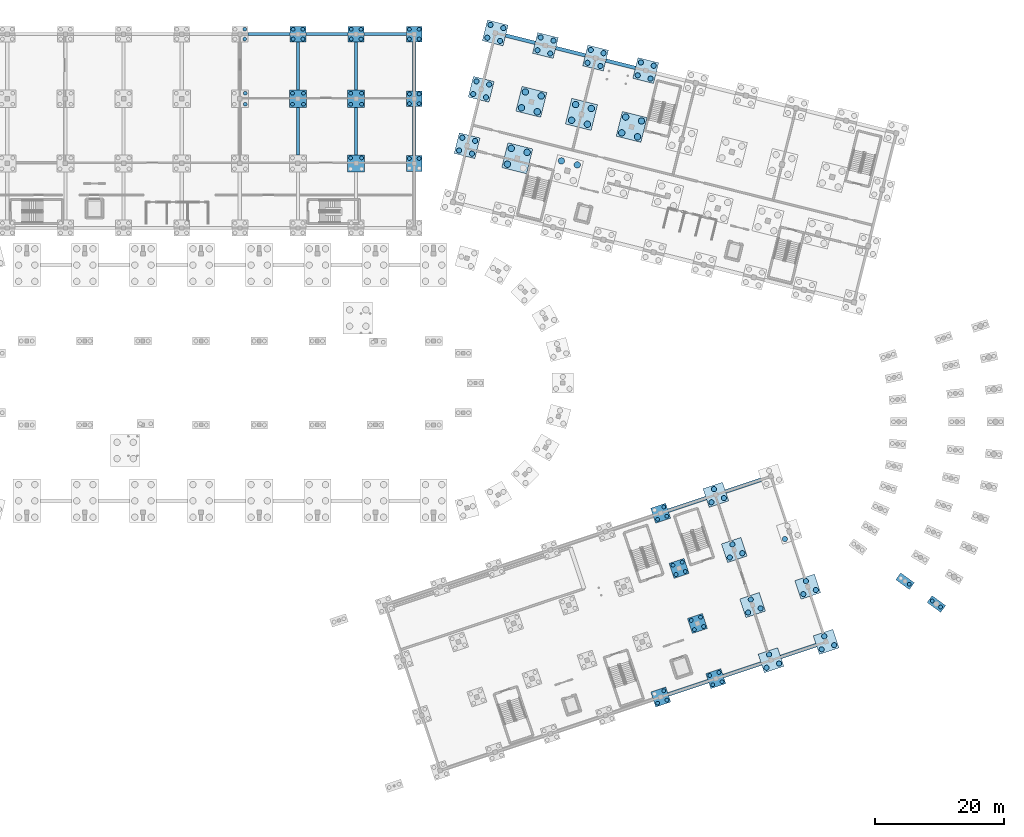
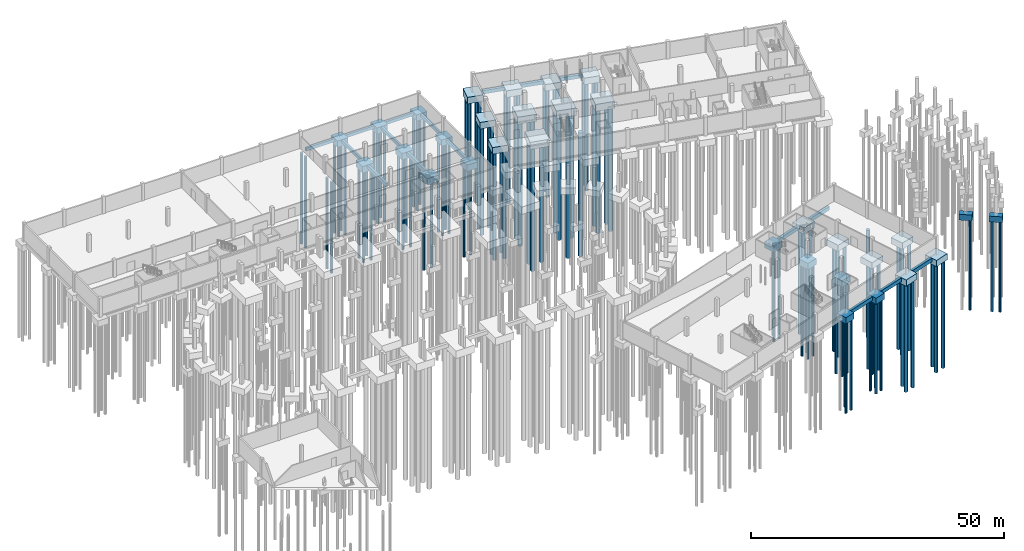
# One storey, part 5 of 36: 113 piles, 48 footings.
"""IFC4 building model written with IfcOpenShell, lengths in metres."""

from ifc_helpers import new_model, si_unit, derived_unit, direction, frame, origin, origin_2d, place, context, subcontext, project, spatial, rectangle, circle, extrude, material, material_profile, profile_set, type_object, element, save


model = new_model("IFC4")

# Units and contexts
model_context = context("Model", 3, precision=1e-05, world=origin(), true_north=direction((0.0, 1.0)))
body_context = subcontext(model_context, "Body", "Model", "MODEL_VIEW")
ifc_project = project(units=[si_unit("LENGTHUNIT", "METRE"), si_unit("AREAUNIT", "SQUARE_METRE"), si_unit("VOLUMEUNIT", "CUBIC_METRE"), si_unit("PLANEANGLEUNIT", "RADIAN"), si_unit("MASSUNIT", "GRAM", prefix="KILO"), si_unit("THERMODYNAMICTEMPERATUREUNIT", "KELVIN"), si_unit("TIMEUNIT", "SECOND"), derived_unit("THERMALTRANSMITTANCEUNIT", [(si_unit("MASSUNIT", "GRAM", prefix="KILO"), 1), (si_unit("THERMODYNAMICTEMPERATUREUNIT", "KELVIN"), -1), (si_unit("TIMEUNIT", "SECOND"), -3)])], contexts=[model_context])

# Site, building, storey
site_placement = place(None, origin())
site = spatial("IfcSite", under=ifc_project, at=site_placement, CompositionType="ELEMENT")
building_placement = place(site_placement, origin())
building = spatial("IfcBuilding", under=site, at=building_placement, Name="Cambertide Market Hall", CompositionType="ELEMENT")
storey_placement = place(building_placement, frame((0.0, 0.0, -4.199951171875)))
storey = spatial("IfcBuildingStorey", under=building, at=storey_placement, Name="B1", CompositionType="ELEMENT", Elevation=-4.199951171875)

# Piles
ifc_material_1 = material(Name="Concrete B35", Category="concrete")
ifc_material_profile_1 = material_profile(ifc_material_1, circle(Radius=0.5, at=origin_2d()), Name="BP D1000")
ifc_profile_set_1 = profile_set([ifc_material_profile_1], Name="Concrete B35")
pile_type_1 = type_object("IfcPileType", Name="Bored Pile BP-1000", PredefinedType="BORED", material=ifc_profile_set_1)
for number, where, z_axis, x_axis, name in (
    (1, (116.416015625, 105.874267578125, -2.0), (0.0, 0.0, -1.0), (1.0, 0.0, 0.0), "Basement 1 Bored Pile V4-2-2-1"),
    (2, (117.027099609375, 108.319091796875, -2.0), (0.0, 0.0, -1.0), (1.0, 0.0, 0.0), "Basement 1 Bored Pile V4-2-2-3"),
    (3, (119.471923828125, 107.707763671875, -2.0), (0.0, 0.0, -1.0), (1.0, 0.0, 0.0), "Basement 1 Bored Pile V4-2-2-4"),
    (4, (118.598876953125, 114.60546875, -2.0), (0.0, 0.0, -1.0), (1.0, 0.0, 0.0), "Basement 1 Bored Pile V4-2-3-1"),
    (5, (121.04345703125, 113.994384765625, -2.0), (0.0, 0.0, -1.0), (1.0, 0.0, 0.0), "Basement 1 Bored Pile V4-2-3-2"),
    (6, (119.2099609375, 117.05029296875, -2.0), (0.0, 0.0, -1.0), (1.0, 0.0, 0.0), "Basement 1 Bored Pile V4-2-3-3"),
    (7, (121.65478515625, 116.43896484375, -2.0), (0.0, 0.0, -1.0), (1.0, 0.0, 0.0), "Basement 1 Bored Pile V4-2-3-4"),
    (8, (124.788330078125, 106.378662109375, -2.10009765625), (0.0, 0.0, -1.0), (1.0, 0.0, 0.0), "Basement 1 Bored Pile V4-3-2-3"),
    (9, (127.233154296875, 105.767578125, -2.10009765625), (0.0, 0.0, -1.0), (1.0, 0.0, 0.0), "Basement 1 Bored Pile V4-3-2-4"),
    (10, (126.35986328125, 112.665283203125, -2.10009765625), (0.0, 0.0, -1.0), (1.0, 0.0, 0.0), "Basement 1 Bored Pile V4-3-3-1"),
    (11, (128.8046875, 112.053955078125, -2.10009765625), (0.0, 0.0, -1.0), (1.0, 0.0, 0.0), "Basement 1 Bored Pile V4-3-3-2"),
    (12, (126.97119140625, 115.10986328125, -2.10009765625), (0.0, 0.0, -1.0), (1.0, 0.0, 0.0), "Basement 1 Bored Pile V4-3-3-3"),
    (13, (129.416015625, 114.498779296875, -2.10009765625), (0.0, 0.0, -1.0), (1.0, 0.0, 0.0), "Basement 1 Bored Pile V4-3-3-4"),
    (14, (134.12109375, 110.724853515625, -2.0), (0.0, 0.0, -1.0), (1.0, 0.0, 0.0), "Basement 1 Bored Pile V4-4-3-1"),
    (15, (136.56591796875, 110.11376953125, -2.0), (0.0, 0.0, -1.0), (1.0, 0.0, 0.0), "Basement 1 Bored Pile V4-4-3-2"),
    (16, (134.732177734375, 113.169677734375, -2.0), (0.0, 0.0, -1.0), (1.0, 0.0, 0.0), "Basement 1 Bored Pile V4-4-3-3"),
    (17, (137.177001953125, 112.55859375, -2.0), (0.0, 0.0, -1.0), (1.0, 0.0, 0.0), "Basement 1 Bored Pile V4-4-3-4"),
):
    element("IfcPile", number, at=place(storey_placement, frame(where, z_axis=z_axis, x_axis=x_axis)), inside=storey, type_object=pile_type_1, Name=name, PredefinedType="BORED", context=body_context, shape_type="SweptSolid", body=[
        extrude(circle(Radius=0.5, at=origin_2d()), origin(), (0.0, 0.0, 1.0), 29.800048828125),
    ])
ifc_material_2 = material(Name="Concrete B35", Category="concrete")
ifc_material_profile_2 = material_profile(ifc_material_2, circle(Radius=0.300048828125, at=origin_2d()), Name="BP D600")
ifc_profile_set_2 = profile_set([ifc_material_profile_2], Name="Concrete B35")
pile_type_2 = type_object("IfcPileType", Name="Bored Pile BP-600", PredefinedType="BORED", material=ifc_profile_set_2)
for number, where, z_axis, x_axis, name in (
    (18, (75.85009765625, 115.14990234375, -1.85009765625), (0.0, 0.0, -1.0), (1.0, 0.0, 0.0), "Basement 1 Bored Pile V2-8-3-2"),
    (19, (75.85009765625, 116.85009765625, -1.85009765625), (0.0, 0.0, -1.0), (1.0, 0.0, 0.0), "Basement 1 Bored Pile V2-8-3-4"),
    (20, (75.7548828125, 125.2451171875, -1.800048828125), (0.0, 0.0, -1.0), (1.0, 0.0, 0.0), "Basement 1 Bored Pile V2-8-4-2"),
    (21, (75.7548828125, 126.7548828125, -1.800048828125), (0.0, 0.0, -1.0), (1.0, 0.0, 0.0), "Basement 1 Bored Pile V2-8-4-4"),
    (22, (83.14990234375, 115.14990234375, -1.85009765625), (0.0, 0.0, -1.0), (1.0, 0.0, 0.0), "Basement 1 Bored Pile V2-9-3-1"),
    (23, (84.85009765625, 115.14990234375, -1.85009765625), (0.0, 0.0, -1.0), (1.0, 0.0, 0.0), "Basement 1 Bored Pile V2-9-3-2"),
    (24, (83.14990234375, 116.85009765625, -1.85009765625), (0.0, 0.0, -1.0), (1.0, 0.0, 0.0), "Basement 1 Bored Pile V2-9-3-3"),
    (25, (84.85009765625, 116.85009765625, -1.85009765625), (0.0, 0.0, -1.0), (1.0, 0.0, 0.0), "Basement 1 Bored Pile V2-9-3-4"),
    (26, (83.2451171875, 125.2451171875, -1.800048828125), (0.0, 0.0, -1.0), (1.0, 0.0, 0.0), "Basement 1 Bored Pile V2-9-4-1"),
    (27, (84.7548828125, 125.2451171875, -1.800048828125), (0.0, 0.0, -1.0), (1.0, 0.0, 0.0), "Basement 1 Bored Pile V2-9-4-2"),
    (28, (83.2451171875, 126.7548828125, -1.800048828125), (0.0, 0.0, -1.0), (1.0, 0.0, 0.0), "Basement 1 Bored Pile V2-9-4-3"),
    (29, (84.7548828125, 126.7548828125, -1.800048828125), (0.0, 0.0, -1.0), (1.0, 0.0, 0.0), "Basement 1 Bored Pile V2-9-4-4"),
    (30, (92.14990234375, 106.85009765625, -1.85009765625), (0.0, 0.0, -1.0), (1.0, 0.0, 0.0), "Basement 1 Bored Pile V2-10-2-3"),
    (31, (93.85009765625, 106.85009765625, -1.85009765625), (0.0, 0.0, -1.0), (1.0, 0.0, 0.0), "Basement 1 Bored Pile V2-10-2-4"),
    (32, (92.14990234375, 115.14990234375, -1.85009765625), (0.0, 0.0, -1.0), (1.0, 0.0, 0.0), "Basement 1 Bored Pile V2-10-3-1"),
    (33, (93.85009765625, 115.14990234375, -1.85009765625), (0.0, 0.0, -1.0), (1.0, 0.0, 0.0), "Basement 1 Bored Pile V2-10-3-2"),
    (34, (92.14990234375, 116.85009765625, -1.85009765625), (0.0, 0.0, -1.0), (1.0, 0.0, 0.0), "Basement 1 Bored Pile V2-10-3-3"),
    (35, (93.85009765625, 116.85009765625, -1.85009765625), (0.0, 0.0, -1.0), (1.0, 0.0, 0.0), "Basement 1 Bored Pile V2-10-3-4"),
    (36, (92.2451171875, 125.2451171875, -1.800048828125), (0.0, 0.0, -1.0), (1.0, 0.0, 0.0), "Basement 1 Bored Pile V2-10-4-1"),
    (37, (93.7548828125, 125.2451171875, -1.800048828125), (0.0, 0.0, -1.0), (1.0, 0.0, 0.0), "Basement 1 Bored Pile V2-10-4-2"),
    (38, (92.2451171875, 126.7548828125, -1.800048828125), (0.0, 0.0, -1.0), (1.0, 0.0, 0.0), "Basement 1 Bored Pile V2-10-4-3"),
    (39, (93.7548828125, 126.7548828125, -1.800048828125), (0.0, 0.0, -1.0), (1.0, 0.0, 0.0), "Basement 1 Bored Pile V2-10-4-4"),
    (40, (101.2451171875, 106.7548828125, -1.800048828125), (0.0, 0.0, -1.0), (1.0, 0.0, 0.0), "Basement 1 Bored Pile V2-11-2-3"),
    (41, (102.7548828125, 106.7548828125, -1.800048828125), (0.0, 0.0, -1.0), (1.0, 0.0, 0.0), "Basement 1 Bored Pile V2-11-2-4"),
    (42, (101.2451171875, 115.2451171875, -1.800048828125), (0.0, 0.0, -1.0), (1.0, 0.0, 0.0), "Basement 1 Bored Pile V2-11-3-1"),
    (43, (102.7548828125, 115.2451171875, -1.800048828125), (0.0, 0.0, -1.0), (1.0, 0.0, 0.0), "Basement 1 Bored Pile V2-11-3-2"),
    (44, (101.2451171875, 116.7548828125, -1.800048828125), (0.0, 0.0, -1.0), (1.0, 0.0, 0.0), "Basement 1 Bored Pile V2-11-3-3"),
    (45, (102.7548828125, 116.7548828125, -1.800048828125), (0.0, 0.0, -1.0), (1.0, 0.0, 0.0), "Basement 1 Bored Pile V2-11-3-4"),
    (46, (101.2451171875, 125.2451171875, -1.800048828125), (0.0, 0.0, -1.0), (1.0, 0.0, 0.0), "Basement 1 Bored Pile V2-11-4-1"),
    (47, (102.7548828125, 125.2451171875, -1.800048828125), (0.0, 0.0, -1.0), (1.0, 0.0, 0.0), "Basement 1 Bored Pile V2-11-4-2"),
    (48, (101.2451171875, 126.7548828125, -1.800048828125), (0.0, 0.0, -1.0), (1.0, 0.0, 0.0), "Basement 1 Bored Pile V2-11-4-3"),
    (49, (102.7548828125, 126.7548828125, -1.800048828125), (0.0, 0.0, -1.0), (1.0, 0.0, 0.0), "Basement 1 Bored Pile V2-11-4-4"),
    (50, (139.675048828125, 22.42919921875, -1.800048828125), (0.0, 0.0, -1.0), (1.0, 0.0, 0.0), "Basement 1 Bored Pile V3-5-1-1"),
    (51, (141.107666015625, 22.90673828125, -1.800048828125), (0.0, 0.0, -1.0), (1.0, 0.0, 0.0), "Basement 1 Bored Pile V3-5-1-2"),
    (52, (140.630126953125, 24.339111328125, -1.800048828125), (0.0, 0.0, -1.0), (1.0, 0.0, 0.0), "Basement 1 Bored Pile V3-5-1-4"),
    (53, (148.213134765625, 25.275146484375, -1.800048828125), (0.0, 0.0, -1.0), (1.0, 0.0, 0.0), "Basement 1 Bored Pile V3-6-1-1"),
    (54, (149.645751953125, 25.752685546875, -1.800048828125), (0.0, 0.0, -1.0), (1.0, 0.0, 0.0), "Basement 1 Bored Pile V3-6-1-2"),
    (55, (147.73583984375, 26.707763671875, -1.800048828125), (0.0, 0.0, -1.0), (1.0, 0.0, 0.0), "Basement 1 Bored Pile V3-6-1-3"),
    (56, (149.168212890625, 27.185302734375, -1.800048828125), (0.0, 0.0, -1.0), (1.0, 0.0, 0.0), "Basement 1 Bored Pile V3-6-1-4"),
    (57, (145.3671875, 33.8134765625, -1.800048828125), (0.0, 0.0, -1.0), (1.0, 0.0, 0.0), "Basement 1 Bored Pile V3-6-2-1"),
    (58, (146.7998046875, 34.291015625, -1.800048828125), (0.0, 0.0, -1.0), (1.0, 0.0, 0.0), "Basement 1 Bored Pile V3-6-2-2"),
    (59, (144.8896484375, 35.245849609375, -1.800048828125), (0.0, 0.0, -1.0), (1.0, 0.0, 0.0), "Basement 1 Bored Pile V3-6-2-3"),
    (60, (146.322265625, 35.723388671875, -1.800048828125), (0.0, 0.0, -1.0), (1.0, 0.0, 0.0), "Basement 1 Bored Pile V3-6-2-4"),
    (61, (142.521240234375, 42.3515625, -1.800048828125), (0.0, 0.0, -1.0), (1.0, 0.0, 0.0), "Basement 1 Bored Pile V3-6-3-1"),
    (62, (143.95361328125, 42.8291015625, -1.800048828125), (0.0, 0.0, -1.0), (1.0, 0.0, 0.0), "Basement 1 Bored Pile V3-6-3-2"),
    (63, (142.043701171875, 43.783935546875, -1.800048828125), (0.0, 0.0, -1.0), (1.0, 0.0, 0.0), "Basement 1 Bored Pile V3-6-3-3"),
    (64, (143.47607421875, 44.261474609375, -1.800048828125), (0.0, 0.0, -1.0), (1.0, 0.0, 0.0), "Basement 1 Bored Pile V3-6-3-4"),
    (65, (139.675048828125, 50.8896484375, -1.800048828125), (0.0, 0.0, -1.0), (1.0, 0.0, 0.0), "Basement 1 Bored Pile V3-6-4-1"),
    (66, (141.107666015625, 51.3671875, -1.800048828125), (0.0, 0.0, -1.0), (1.0, 0.0, 0.0), "Basement 1 Bored Pile V3-6-4-2"),
    (67, (140.630126953125, 52.7998046875, -1.800048828125), (0.0, 0.0, -1.0), (1.0, 0.0, 0.0), "Basement 1 Bored Pile V3-6-4-4"),
    (68, (178.6259765625, 40.8427734375, -1.699951171875), (0.0, 0.0, -1.0), (1.0, 0.0, 0.0), "Basement 1 Bored Pile V5-MID00-2"),
    (69, (182.185546875, 38.256591796875, -1.699951171875), (0.0, 0.0, -1.0), (1.0, 0.0, 0.0), "Basement 1 Bored Pile V5-OUT00-1"),
    (70, (183.47998046875, 37.316162109375, -1.699951171875), (0.0, 0.0, -1.0), (1.0, 0.0, 0.0), "Basement 1 Bored Pile V5-OUT00-2"),
):
    element("IfcPile", number, at=place(storey_placement, frame(where, z_axis=z_axis, x_axis=x_axis)), inside=storey, type_object=pile_type_2, Name=name, PredefinedType="BORED", context=body_context, shape_type="SweptSolid", body=[
        extrude(circle(Radius=0.300048828125, at=origin_2d()), origin(), (0.0, 0.0, 1.0), 22.0),
    ])
ifc_material_3 = material(Name="Concrete B35", Category="concrete")
ifc_material_profile_3 = material_profile(ifc_material_3, circle(Radius=0.39990234375, at=origin_2d()), Name="BP D800")
ifc_profile_set_3 = profile_set([ifc_material_profile_3], Name="Concrete B35")
pile_type_3 = type_object("IfcPileType", Name="Bored Pile BP-800", PredefinedType="BORED", material=ifc_profile_set_3)
for number, where, z_axis, x_axis, name in (
    (71, (156.53955078125, 27.9189453125, -1.800048828125), (0.0, 0.0, -1.0), (1.0, 0.0, 0.0), "Basement 1 Bored Pile V3-7-1-1"),
    (72, (158.474853515625, 28.56396484375, -1.800048828125), (0.0, 0.0, -1.0), (1.0, 0.0, 0.0), "Basement 1 Bored Pile V3-7-1-2"),
    (73, (156.93798828125, 29.948974609375, -1.800048828125), (0.0, 0.0, -1.0), (1.0, 0.0, 0.0), "Basement 1 Bored Pile V3-7-1-3"),
    (74, (153.693359375, 36.45703125, -1.800048828125), (0.0, 0.0, -1.0), (1.0, 0.0, 0.0), "Basement 1 Bored Pile V3-7-2-1"),
    (75, (155.62890625, 37.10205078125, -1.800048828125), (0.0, 0.0, -1.0), (1.0, 0.0, 0.0), "Basement 1 Bored Pile V3-7-2-2"),
    (76, (154.091796875, 38.4873046875, -1.800048828125), (0.0, 0.0, -1.0), (1.0, 0.0, 0.0), "Basement 1 Bored Pile V3-7-2-3"),
    (77, (150.847412109375, 44.9951171875, -1.800048828125), (0.0, 0.0, -1.0), (1.0, 0.0, 0.0), "Basement 1 Bored Pile V3-7-3-1"),
    (78, (152.78271484375, 45.640380859375, -1.800048828125), (0.0, 0.0, -1.0), (1.0, 0.0, 0.0), "Basement 1 Bored Pile V3-7-3-2"),
    (79, (151.245849609375, 47.025390625, -1.800048828125), (0.0, 0.0, -1.0), (1.0, 0.0, 0.0), "Basement 1 Bored Pile V3-7-3-3"),
    (80, (148.00146484375, 53.533447265625, -1.800048828125), (0.0, 0.0, -1.0), (1.0, 0.0, 0.0), "Basement 1 Bored Pile V3-7-4-1"),
    (81, (149.936767578125, 54.178466796875, -1.800048828125), (0.0, 0.0, -1.0), (1.0, 0.0, 0.0), "Basement 1 Bored Pile V3-7-4-2"),
    (82, (148.39990234375, 55.5634765625, -1.800048828125), (0.0, 0.0, -1.0), (1.0, 0.0, 0.0), "Basement 1 Bored Pile V3-7-4-3"),
    (83, (165.07763671875, 30.764892578125, -1.800048828125), (0.0, 0.0, -1.0), (1.0, 0.0, 0.0), "Basement 1 Bored Pile V3-8-1-1"),
    (84, (167.012939453125, 31.41015625, -1.800048828125), (0.0, 0.0, -1.0), (1.0, 0.0, 0.0), "Basement 1 Bored Pile V3-8-1-2"),
    (85, (165.47607421875, 32.795166015625, -1.800048828125), (0.0, 0.0, -1.0), (1.0, 0.0, 0.0), "Basement 1 Bored Pile V3-8-1-3"),
    (86, (162.231689453125, 39.30322265625, -1.800048828125), (0.0, 0.0, -1.0), (1.0, 0.0, 0.0), "Basement 1 Bored Pile V3-8-2-1"),
    (87, (164.1669921875, 39.9482421875, -1.800048828125), (0.0, 0.0, -1.0), (1.0, 0.0, 0.0), "Basement 1 Bored Pile V3-8-2-2"),
    (88, (162.630126953125, 41.333251953125, -1.800048828125), (0.0, 0.0, -1.0), (1.0, 0.0, 0.0), "Basement 1 Bored Pile V3-8-2-3"),
    (89, (159.385498046875, 47.84130859375, -1.800048828125), (0.0, 0.0, -1.0), (1.0, 0.0, 0.0), "Basement 1 Bored Pile V3-8-3-1"),
    (90, (108.94580078125, 107.989013671875, -1.900146484375), (0.0, 0.0, -1.0), (1.0, 0.0, 0.0), "Basement 1 Bored Pile V4-1-2-1"),
    (91, (110.925048828125, 107.494384765625, -1.900146484375), (0.0, 0.0, -1.0), (1.0, 0.0, 0.0), "Basement 1 Bored Pile V4-1-2-2"),
    (92, (109.440673828125, 109.96826171875, -1.900146484375), (0.0, 0.0, -1.0), (1.0, 0.0, 0.0), "Basement 1 Bored Pile V4-1-2-3"),
    (93, (111.419677734375, 109.473388671875, -1.900146484375), (0.0, 0.0, -1.0), (1.0, 0.0, 0.0), "Basement 1 Bored Pile V4-1-2-4"),
    (94, (111.128662109375, 116.720458984375, -1.900146484375), (0.0, 0.0, -1.0), (1.0, 0.0, 0.0), "Basement 1 Bored Pile V4-1-3-1"),
    (95, (113.10791015625, 116.2255859375, -1.900146484375), (0.0, 0.0, -1.0), (1.0, 0.0, 0.0), "Basement 1 Bored Pile V4-1-3-2"),
    (96, (111.62353515625, 118.699462890625, -1.900146484375), (0.0, 0.0, -1.0), (1.0, 0.0, 0.0), "Basement 1 Bored Pile V4-1-3-3"),
    (97, (113.6025390625, 118.204833984375, -1.900146484375), (0.0, 0.0, -1.0), (1.0, 0.0, 0.0), "Basement 1 Bored Pile V4-1-3-4"),
    (98, (113.3115234375, 125.45166015625, -1.900146484375), (0.0, 0.0, -1.0), (1.0, 0.0, 0.0), "Basement 1 Bored Pile V4-1-4-1"),
    (99, (115.29052734375, 124.95703125, -1.900146484375), (0.0, 0.0, -1.0), (1.0, 0.0, 0.0), "Basement 1 Bored Pile V4-1-4-2"),
    (100, (113.806396484375, 127.4306640625, -1.900146484375), (0.0, 0.0, -1.0), (1.0, 0.0, 0.0), "Basement 1 Bored Pile V4-1-4-3"),
    (101, (115.785400390625, 126.93603515625, -1.900146484375), (0.0, 0.0, -1.0), (1.0, 0.0, 0.0), "Basement 1 Bored Pile V4-1-4-4"),
    (102, (121.07275390625, 123.511474609375, -1.900146484375), (0.0, 0.0, -1.0), (1.0, 0.0, 0.0), "Basement 1 Bored Pile V4-2-4-1"),
    (103, (123.0517578125, 123.0166015625, -1.900146484375), (0.0, 0.0, -1.0), (1.0, 0.0, 0.0), "Basement 1 Bored Pile V4-2-4-2"),
    (104, (121.5673828125, 125.490478515625, -1.900146484375), (0.0, 0.0, -1.0), (1.0, 0.0, 0.0), "Basement 1 Bored Pile V4-2-4-3"),
    (105, (123.546630859375, 124.99560546875, -1.900146484375), (0.0, 0.0, -1.0), (1.0, 0.0, 0.0), "Basement 1 Bored Pile V4-2-4-4"),
    (106, (128.833740234375, 121.571044921875, -1.900146484375), (0.0, 0.0, -1.0), (1.0, 0.0, 0.0), "Basement 1 Bored Pile V4-3-4-1"),
    (107, (130.81298828125, 121.076416015625, -1.900146484375), (0.0, 0.0, -1.0), (1.0, 0.0, 0.0), "Basement 1 Bored Pile V4-3-4-2"),
    (108, (129.32861328125, 123.55029296875, -1.900146484375), (0.0, 0.0, -1.0), (1.0, 0.0, 0.0), "Basement 1 Bored Pile V4-3-4-3"),
    (109, (131.3076171875, 123.055419921875, -1.900146484375), (0.0, 0.0, -1.0), (1.0, 0.0, 0.0), "Basement 1 Bored Pile V4-3-4-4"),
    (110, (136.594970703125, 119.630859375, -1.900146484375), (0.0, 0.0, -1.0), (1.0, 0.0, 0.0), "Basement 1 Bored Pile V4-4-4-1"),
    (111, (138.573974609375, 119.135986328125, -1.900146484375), (0.0, 0.0, -1.0), (1.0, 0.0, 0.0), "Basement 1 Bored Pile V4-4-4-2"),
    (112, (137.08984375, 121.60986328125, -1.900146484375), (0.0, 0.0, -1.0), (1.0, 0.0, 0.0), "Basement 1 Bored Pile V4-4-4-3"),
    (113, (139.06884765625, 121.115234375, -1.900146484375), (0.0, 0.0, -1.0), (1.0, 0.0, 0.0), "Basement 1 Bored Pile V4-4-4-4"),
):
    element("IfcPile", number, at=place(storey_placement, frame(where, z_axis=z_axis, x_axis=x_axis)), inside=storey, type_object=pile_type_3, Name=name, PredefinedType="BORED", context=body_context, shape_type="SweptSolid", body=[
        extrude(circle(Radius=0.39990234375, at=origin_2d()), origin(), (0.0, 0.0, 1.0), 26.0),
    ])

# Footings
ifc_material_4 = material(Name="Concrete B35", Category="concrete")
footing_type_1 = type_object("IfcFootingType", Name="Concrete Pile Cap PC-02", PredefinedType="PILE_CAP", material=ifc_material_4)
for number, where, z_axis, x_axis, name in (
    (114, (177.978759765625, 41.31298828125, -1.800048828125), (0.0, 0.0, 1.0), (0.809016994375, -0.587785252292, 0.0), "Basement 1 Pile Cap V5-MID00"),
    (115, (182.832763671875, 37.786376953125, -1.800048828125), (0.0, 0.0, 1.0), (0.809016994375, -0.587785252292, 0.0), "Basement 1 Pile Cap V5-OUT00"),
):
    element("IfcFooting", number, at=place(storey_placement, frame(where, z_axis=z_axis, x_axis=x_axis)), inside=storey, type_object=footing_type_1, Name=name, PredefinedType="PILE_CAP", context=body_context, shape_type="SweptSolid", body=[
        extrude(rectangle(XDim=2.60009765625, YDim=1.300048828125, at=origin_2d()), origin(), (0.0, 0.0, 1.0), 1.39990234375),
    ])
ifc_material_5 = material(Name="Concrete B35", Category="concrete")
footing_type_2 = type_object("IfcFootingType", Name="Concrete Pile Cap PC-03", PredefinedType="PILE_CAP", material=ifc_material_5)
for number, where, z_axis, x_axis, name in (
    (116, (157.22900390625, 29.076416015625, -1.900146484375), (0.0, 0.0, 1.0), (0.94868329805, 0.316227766018, 0.0), "Basement 1 Pile Cap V3-7-1"),
    (117, (154.3828125, 37.614501953125, -1.900146484375), (0.0, 0.0, 1.0), (0.94868329805, 0.316227766018, 0.0), "Basement 1 Pile Cap V3-7-2"),
    (118, (151.536865234375, 46.152587890625, -1.900146484375), (0.0, 0.0, 1.0), (0.94868329805, 0.316227766018, 0.0), "Basement 1 Pile Cap V3-7-3"),
    (119, (148.690673828125, 54.690673828125, -1.900146484375), (0.0, 0.0, 1.0), (0.94868329805, 0.316227766018, 0.0), "Basement 1 Pile Cap V3-7-4"),
    (120, (165.76708984375, 31.92236328125, -1.900146484375), (0.0, 0.0, 1.0), (0.94868329805, 0.316227766018, 0.0), "Basement 1 Pile Cap V3-8-1"),
    (121, (162.9208984375, 40.46044921875, -1.900146484375), (0.0, 0.0, 1.0), (0.94868329805, 0.316227766018, 0.0), "Basement 1 Pile Cap V3-8-2"),
):
    element("IfcFooting", number, at=place(storey_placement, frame(where, z_axis=z_axis, x_axis=x_axis)), inside=storey, type_object=footing_type_2, Name=name, PredefinedType="PILE_CAP", context=body_context, shape_type="SweptSolid", body=[
        extrude(rectangle(XDim=3.199951171875, YDim=3.0400390625, at=origin_2d()), origin(), (0.0, 0.0, 1.0), 1.5),
    ])
ifc_material_6 = material(Name="Concrete B35", Category="concrete")
footing_type_3 = type_object("IfcFootingType", Name="Concrete Pile Cap PC-04A", PredefinedType="PILE_CAP", material=ifc_material_6)
for number, where, z_axis, x_axis, name in (
    (122, (84.0, 126.0, -1.900146484375), (0.0, 0.0, 1.0), (1.0, 0.0, 0.0), "Basement 1 Pile Cap V2-9-4"),
    (123, (93.0, 126.0, -1.900146484375), (0.0, 0.0, 1.0), (1.0, 0.0, 0.0), "Basement 1 Pile Cap V2-10-4"),
    (124, (102.0, 106.0, -1.900146484375), (0.0, 0.0, 1.0), (1.0, 0.0, 0.0), "Basement 1 Pile Cap V2-11-2"),
    (125, (102.0, 116.0, -1.900146484375), (0.0, 0.0, 1.0), (1.0, 0.0, 0.0), "Basement 1 Pile Cap V2-11-3"),
    (126, (102.0, 126.0, -1.900146484375), (0.0, 0.0, 1.0), (1.0, 0.0, 0.0), "Basement 1 Pile Cap V2-11-4"),
    (127, (140.152587890625, 23.38427734375, -1.900146484375), (0.0, 0.0, 1.0), (0.94868329805, 0.316227766018, 0.0), "Basement 1 Pile Cap V3-5-1"),
    (128, (148.690673828125, 26.230224609375, -1.900146484375), (0.0, 0.0, 1.0), (0.94868329805, 0.316227766018, 0.0), "Basement 1 Pile Cap V3-6-1"),
    (129, (145.8447265625, 34.768310546875, -1.900146484375), (0.0, 0.0, 1.0), (0.94868329805, 0.316227766018, 0.0), "Basement 1 Pile Cap V3-6-2"),
    (130, (142.99853515625, 43.306640625, -1.900146484375), (0.0, 0.0, 1.0), (0.94868329805, 0.316227766018, 0.0), "Basement 1 Pile Cap V3-6-3"),
    (131, (140.152587890625, 51.8447265625, -1.900146484375), (0.0, 0.0, 1.0), (0.94868329805, 0.316227766018, 0.0), "Basement 1 Pile Cap V3-6-4"),
):
    element("IfcFooting", number, at=place(storey_placement, frame(where, z_axis=z_axis, x_axis=x_axis)), inside=storey, type_object=footing_type_3, Name=name, PredefinedType="PILE_CAP", context=body_context, shape_type="SweptSolid", body=[
        extrude(rectangle(XDim=2.449951171875, YDim=2.449951171875, at=origin_2d()), origin(), (0.0, 0.0, 1.0), 1.5),
    ])
ifc_material_7 = material(Name="Concrete B35", Category="concrete")
footing_type_4 = type_object("IfcFootingType", Name="Concrete Pile Cap PC-04B", PredefinedType="PILE_CAP", material=ifc_material_7)
for number, where, z_axis, x_axis, name in (
    (132, (110.182861328125, 108.731201171875, -2.0), (0.0, 0.0, 1.0), (0.970142500145, -0.242535625038, 0.0), "Basement 1 Pile Cap V4-1-2"),
    (133, (112.36572265625, 117.462646484375, -2.0), (0.0, 0.0, 1.0), (0.970142500145, -0.242535625038, 0.0), "Basement 1 Pile Cap V4-1-3"),
    (134, (114.548583984375, 126.19384765625, -2.0), (0.0, 0.0, 1.0), (0.970142500145, -0.242535625038, 0.0), "Basement 1 Pile Cap V4-1-4"),
    (135, (122.3095703125, 124.253662109375, -2.0), (0.0, 0.0, 1.0), (0.970142500145, -0.242535625038, 0.0), "Basement 1 Pile Cap V4-2-4"),
    (136, (130.07080078125, 122.313232421875, -2.0), (0.0, 0.0, 1.0), (0.970142500145, -0.242535625038, 0.0), "Basement 1 Pile Cap V4-3-4"),
    (137, (137.831787109375, 120.373046875, -2.0), (0.0, 0.0, 1.0), (0.970142500145, -0.242535625038, 0.0), "Basement 1 Pile Cap V4-4-4"),
):
    element("IfcFooting", number, at=place(storey_placement, frame(where, z_axis=z_axis, x_axis=x_axis)), inside=storey, type_object=footing_type_4, Name=name, PredefinedType="PILE_CAP", context=body_context, shape_type="SweptSolid", body=[
        extrude(rectangle(XDim=3.300048828125, YDim=3.300048828125, at=origin_2d()), origin(), (0.0, 0.0, 1.0), 1.60009765625),
    ])
ifc_material_8 = material(Name="Concrete B35", Category="concrete")
footing_type_5 = type_object("IfcFootingType", Name="Concrete Pile Cap PC-04C", PredefinedType="PILE_CAP", material=ifc_material_8)
footing_1_placement = place(storey_placement, frame((127.887939453125, 113.58203125, -2.2001953125), z_axis=(0.0, 0.0, 1.0), x_axis=(0.970142500145, -0.242535625038, 0.0)))
element("IfcFooting", 138, at=footing_1_placement, inside=storey, type_object=footing_type_5, Name="Basement 1 Pile Cap V4-3-3", PredefinedType="PILE_CAP", context=body_context, shape_type="SweptSolid", body=[
    extrude(rectangle(XDim=4.10009765625, YDim=4.10009765625, at=origin_2d()), origin(), (0.0, 0.0, 1.0), 1.800048828125),
])
ifc_material_9 = material(Name="Concrete B35", Category="concrete")
footing_type_6 = type_object("IfcFootingType", Name="Concrete Pile Cap PC-04D", PredefinedType="PILE_CAP", material=ifc_material_9)
for number, where, z_axis, x_axis, name in (
    (139, (84.0, 116.0, -1.9501953125), (0.0, 0.0, 1.0), (1.0, 0.0, 0.0), "Basement 1 Pile Cap V2-9-3"),
    (140, (93.0, 106.0, -1.9501953125), (0.0, 0.0, 1.0), (1.0, 0.0, 0.0), "Basement 1 Pile Cap V2-10-2"),
    (141, (93.0, 116.0, -1.9501953125), (0.0, 0.0, 1.0), (1.0, 0.0, 0.0), "Basement 1 Pile Cap V2-10-3"),
):
    element("IfcFooting", number, at=place(storey_placement, frame(where, z_axis=z_axis, x_axis=x_axis)), inside=storey, type_object=footing_type_6, Name=name, PredefinedType="PILE_CAP", context=body_context, shape_type="SweptSolid", body=[
        extrude(rectangle(XDim=2.64990234375, YDim=2.64990234375, at=origin_2d()), origin(), (0.0, 0.0, 1.0), 1.550048828125),
    ])
ifc_material_10 = material(Name="Concrete B35", Category="concrete")
footing_type_7 = type_object("IfcFootingType", Name="Concrete Pile Cap PC-04E", PredefinedType="PILE_CAP", material=ifc_material_10)
for number, where, z_axis, x_axis, name in (
    (142, (117.94384765625, 106.791015625, -2.10009765625), (0.0, 0.0, 1.0), (0.970142500145, -0.242535625038, 0.0), "Basement 1 Pile Cap V4-2-2"),
    (143, (120.126708984375, 115.522216796875, -2.10009765625), (0.0, 0.0, 1.0), (0.970142500145, -0.242535625038, 0.0), "Basement 1 Pile Cap V4-2-3"),
    (144, (135.649169921875, 111.6416015625, -2.10009765625), (0.0, 0.0, 1.0), (0.970142500145, -0.242535625038, 0.0), "Basement 1 Pile Cap V4-4-3"),
):
    element("IfcFooting", number, at=place(storey_placement, frame(where, z_axis=z_axis, x_axis=x_axis)), inside=storey, type_object=footing_type_7, Name=name, PredefinedType="PILE_CAP", context=body_context, shape_type="SweptSolid", body=[
        extrude(rectangle(XDim=3.949951171875, YDim=3.949951171875, at=origin_2d()), origin(), (0.0, 0.0, 1.0), 1.699951171875),
    ])
ifc_material_11 = material(Name="Concrete B35", Category="concrete")
footing_type_8 = type_object("IfcFootingType", Name="Foundation Tie Beam FB-01", PredefinedType="FOOTING_BEAM", material=ifc_material_11)
footing_2_placement = place(storey_placement, frame((84.0, 111.0, -1.2001953125), z_axis=(0.0, 0.0, 1.0), x_axis=(0.0, 1.0, 0.0)))
element("IfcFooting", 145, at=footing_2_placement, inside=storey, type_object=footing_type_8, Name="Basement 1 Foundation Tie Beam FB-V2Y-9-2", PredefinedType="FOOTING_BEAM", context=body_context, shape_type="SweptSolid", body=[
    extrude(rectangle(XDim=7.35009765625, YDim=0.5, at=origin_2d()), origin(), (0.0, 0.0, 1.0), 0.800048828125),
])
footing_3_placement = place(storey_placement, frame((84.0, 121.050048828125, -1.2001953125), z_axis=(0.0, 0.0, 1.0), x_axis=(0.0, 1.0, 0.0)))
element("IfcFooting", 146, at=footing_3_placement, inside=storey, type_object=footing_type_8, Name="Basement 1 Foundation Tie Beam FB-V2Y-9-3", PredefinedType="FOOTING_BEAM", context=body_context, shape_type="SweptSolid", body=[
    extrude(rectangle(XDim=7.449951171875, YDim=0.5, at=origin_2d()), origin(), (0.0, 0.0, 1.0), 0.800048828125),
])
footing_4_placement = place(storey_placement, frame((93.0, 111.0, -1.2001953125), z_axis=(0.0, 0.0, 1.0), x_axis=(0.0, 1.0, 0.0)))
element("IfcFooting", 147, at=footing_4_placement, inside=storey, type_object=footing_type_8, Name="Basement 1 Foundation Tie Beam FB-V2Y-10-2", PredefinedType="FOOTING_BEAM", context=body_context, shape_type="SweptSolid", body=[
    extrude(rectangle(XDim=7.35009765625, YDim=0.5, at=origin_2d()), origin(), (0.0, 0.0, 1.0), 0.800048828125),
])
footing_5_placement = place(storey_placement, frame((93.0, 121.050048828125, -1.2001953125), z_axis=(0.0, 0.0, 1.0), x_axis=(0.0, 1.0, 0.0)))
element("IfcFooting", 148, at=footing_5_placement, inside=storey, type_object=footing_type_8, Name="Basement 1 Foundation Tie Beam FB-V2Y-10-3", PredefinedType="FOOTING_BEAM", context=body_context, shape_type="SweptSolid", body=[
    extrude(rectangle(XDim=7.449951171875, YDim=0.5, at=origin_2d()), origin(), (0.0, 0.0, 1.0), 0.800048828125),
])
for number, where, z_axis, x_axis, name in (
    (149, (102.0, 111.0, -1.2001953125), (0.0, 0.0, 1.0), (0.0, 1.0, 0.0), "Basement 1 Foundation Tie Beam FB-V2Y-11-2"),
    (150, (102.0, 121.0, -1.2001953125), (0.0, 0.0, 1.0), (0.0, 1.0, 0.0), "Basement 1 Foundation Tie Beam FB-V2Y-11-3"),
):
    element("IfcFooting", number, at=place(storey_placement, frame(where, z_axis=z_axis, x_axis=x_axis)), inside=storey, type_object=footing_type_8, Name=name, PredefinedType="FOOTING_BEAM", context=body_context, shape_type="SweptSolid", body=[
        extrude(rectangle(XDim=7.550048828125, YDim=0.5, at=origin_2d()), origin(), (0.0, 0.0, 1.0), 0.800048828125),
    ])
ifc_material_12 = material(Name="Concrete B35", Category="concrete")
footing_type_9 = type_object("IfcFootingType", Name="Foundation Tie Beam FB-02", PredefinedType="FOOTING_BEAM", material=ifc_material_12)
footing_6_placement = place(storey_placement, frame((144.421630859375, 24.80712890625, -1.300048828125), z_axis=(0.0, 0.0, 1.0), x_axis=(0.94868332027, 0.316227699357, 0.0)))
element("IfcFooting", 151, at=footing_6_placement, inside=storey, type_object=footing_type_9, Name="Basement 1 Foundation Tie Beam FB-V3U-5-1", PredefinedType="FOOTING_BEAM", context=body_context, shape_type="SweptSolid", body=[
    extrude(rectangle(XDim=6.550048828125, YDim=0.60009765625, at=origin_2d()), origin(), (0.0, 0.0, 1.0), 0.89990234375),
])
for number, where, z_axis, x_axis, name in (
    (152, (152.781982421875, 27.593994140625, -1.300048828125), (0.0, 0.0, 1.0), (0.94868329805, 0.316227766018, 0.0), "Basement 1 Foundation Tie Beam FB-V3U-6-1"),
    (153, (144.243896484375, 53.20849609375, -1.300048828125), (0.0, 0.0, 1.0), (0.94868332027, 0.316227699357, 0.0), "Basement 1 Foundation Tie Beam FB-V3U-6-4"),
):
    element("IfcFooting", number, at=place(storey_placement, frame(where, z_axis=z_axis, x_axis=x_axis)), inside=storey, type_object=footing_type_9, Name=name, PredefinedType="FOOTING_BEAM", context=body_context, shape_type="SweptSolid", body=[
        extrude(rectangle(XDim=6.175048828125, YDim=0.60009765625, at=origin_2d()), origin(), (0.0, 0.0, 1.0), 0.89990234375),
    ])
for number, where, z_axis, x_axis, name in (
    (154, (161.498046875, 30.499267578125, -1.300048828125), (0.0, 0.0, 1.0), (0.94868329805, 0.316227766018, 0.0), "Basement 1 Foundation Tie Beam FB-V3U-7-1"),
    (155, (152.959716796875, 56.11376953125, -1.300048828125), (0.0, 0.0, 1.0), (0.94868329805, 0.316227766018, 0.0), "Basement 1 Foundation Tie Beam FB-V3U-7-4"),
):
    element("IfcFooting", number, at=place(storey_placement, frame(where, z_axis=z_axis, x_axis=x_axis)), inside=storey, type_object=footing_type_9, Name=name, PredefinedType="FOOTING_BEAM", context=body_context, shape_type="SweptSolid", body=[
        extrude(rectangle(XDim=5.800048828125, YDim=0.60009765625, at=origin_2d()), origin(), (0.0, 0.0, 1.0), 0.89990234375),
    ])
ifc_material_13 = material(Name="Concrete B35", Category="concrete")
footing_type_10 = type_object("IfcFootingType", Name="Foundation Tie Beam FB-03", PredefinedType="FOOTING_BEAM", material=ifc_material_13)
for number, where, z_axis, x_axis, name in (
    (156, (79.5, 126.0, -1.150146484375), (0.0, 0.0, 1.0), (1.0, 0.0, 0.0), "Basement 1 Foundation Tie Beam FB-V2X-8-4"),
    (157, (88.5, 126.0, -1.150146484375), (0.0, 0.0, 1.0), (1.0, 0.0, 0.0), "Basement 1 Foundation Tie Beam FB-V2X-9-4"),
    (158, (97.5, 126.0, -1.150146484375), (0.0, 0.0, 1.0), (1.0, 0.0, 0.0), "Basement 1 Foundation Tie Beam FB-V2X-10-4"),
):
    element("IfcFooting", number, at=place(storey_placement, frame(where, z_axis=z_axis, x_axis=x_axis)), inside=storey, type_object=footing_type_10, Name=name, PredefinedType="FOOTING_BEAM", context=body_context, shape_type="SweptSolid", body=[
        extrude(rectangle(XDim=6.550048828125, YDim=0.449951171875, at=origin_2d()), origin(), (0.0, 0.0, 1.0), 0.75),
    ])
ifc_material_14 = material(Name="Concrete B35", Category="concrete")
footing_type_11 = type_object("IfcFootingType", Name="Foundation Tie Beam FB-04", PredefinedType="FOOTING_BEAM", material=ifc_material_14)
for number, where, z_axis, x_axis, name in (
    (159, (118.428955078125, 125.2236328125, -1.25), (0.0, 0.0, 1.0), (0.970142500145, -0.242535625038, 0.0), "Basement 1 Foundation Tie Beam FB-V4U-1-4"),
    (160, (126.190185546875, 123.283447265625, -1.25), (0.0, 0.0, 1.0), (0.970142500145, -0.242535625038, 0.0), "Basement 1 Foundation Tie Beam FB-V4U-2-4"),
    (161, (133.951416015625, 121.343017578125, -1.25), (0.0, 0.0, 1.0), (0.970142500145, -0.242535625038, 0.0), "Basement 1 Foundation Tie Beam FB-V4U-3-4"),
):
    element("IfcFooting", number, at=place(storey_placement, frame(where, z_axis=z_axis, x_axis=x_axis)), inside=storey, type_object=footing_type_11, Name=name, PredefinedType="FOOTING_BEAM", context=body_context, shape_type="SweptSolid", body=[
        extrude(rectangle(XDim=4.699951171875, YDim=0.550048828125, at=origin_2d()), origin(), (0.0, 0.0, 1.0), 0.85009765625),
    ])

save(model, "model.ifc")
